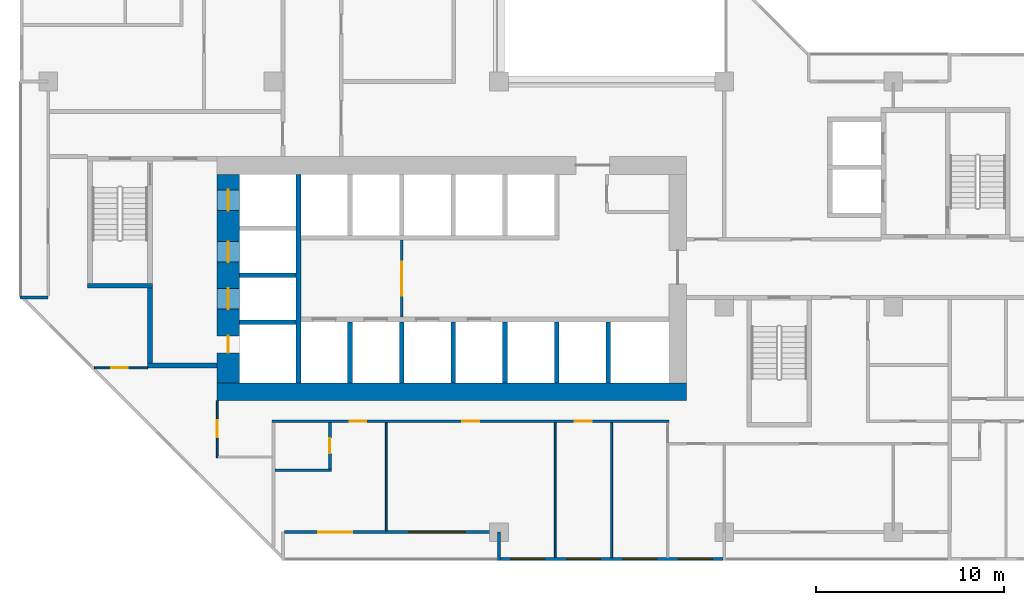
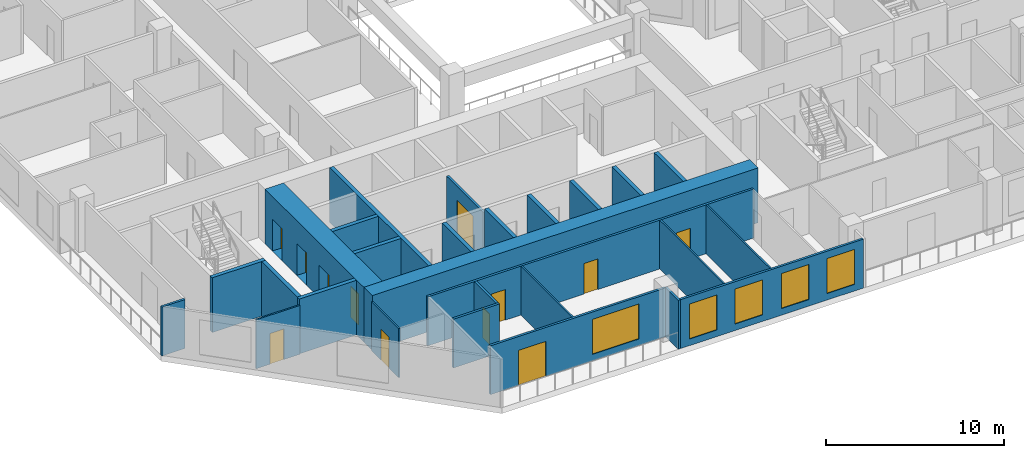
# One storey, part 4 of 15: 27 walls, 12 doors, 5 windows, 17 openings.
"""IFC4 building model written with IfcOpenShell, lengths in metres."""

from ifc_helpers import new_model, si_unit, direction, frame, frame_2d, origin, place, context, subcontext, project, spatial, rectangle, extrude, material, layer, layer_set, type_object, element, fill, save


model = new_model("IFC4")

# Units and contexts
model_context = context("Model", 3, precision=1e-05, world=origin(), true_north=direction((0.0, 1.0)))
body_context = subcontext(model_context, "Body", "Model", "MODEL_VIEW")
ifc_project = project(units=[si_unit("LENGTHUNIT", "METRE"), si_unit("AREAUNIT", "SQUARE_METRE"), si_unit("VOLUMEUNIT", "CUBIC_METRE"), si_unit("PLANEANGLEUNIT", "RADIAN"), si_unit("MASSUNIT", "GRAM", prefix="KILO")], contexts=[model_context])

# Site, building, storey
site_placement = place(None, origin())
site = spatial("IfcSite", under=ifc_project, at=site_placement, CompositionType="ELEMENT")
building_placement = place(site_placement, origin())
building = spatial("IfcBuilding", under=site, at=building_placement, Name="Chenar Terraces", CompositionType="ELEMENT")
storey_placement = place(building_placement, frame((0.0, 0.0, 133.14990234375)))
storey = spatial("IfcBuildingStorey", under=building, at=storey_placement, Name="L31", CompositionType="ELEMENT", Elevation=133.14990234375)

# Wall, opening, door
ifc_material_1 = material(Name="Gypsum board on steel studs", Category="steel")
ifc_layer_1 = layer(ifc_material_1, 0.14990234375)
ifc_layer_set_1 = layer_set([ifc_layer_1], Name="Gypsum board on steel studs")
wall_type_1 = type_object("IfcWallType", Name="Core partition 150 gypsum board", PredefinedType="PARTITIONING", material=ifc_layer_set_1)
wall_1_placement = place(storey_placement, frame((18.824951171875, 11.449951171875, 0.0), z_axis=(0.0, 0.0, 1.0), x_axis=(0.0, 1.0, 0.0)))
wall_1 = element("IfcWall", 1, at=wall_1_placement, inside=storey, type_object=wall_type_1, Name="Core partition CP1 lift lobby smoke stop", PredefinedType="PARTITIONING", context=body_context, shape_type="SweptSolid", body=[
    extrude(rectangle(XDim=4.10009765625, YDim=0.14990234375, at=frame_2d((2.050048828125, 0.0))), origin(), (0.0, 0.0, 1.0), 3.35009765625),
])
opening_1_placement = place(wall_1_placement, frame((1.14990234375, 0.0, 0.0)))
opening_1 = element("IfcOpeningElement", 2, at=opening_1_placement, cuts=wall_1, Name="Opening DL31-C12", PredefinedType="OPENING", context=body_context, shape_type="SweptSolid", body=[
    extrude(rectangle(XDim=1.800048828125, YDim=2.39990234375, at=frame_2d((0.89990234375, 1.199951171875))), frame((0.0, 0.0849609375, 0.0), z_axis=(0.0, -1.0, 0.0), x_axis=(1.0, 0.0, 0.0)), (0.0, 0.0, 1.0), 0.169921875),
])
ifc_material_2 = material(Name="Steel-framed fire-resisting door leaf", Category="steel")
door_type_1 = type_object("IfcDoorType", Name="Core entrance double fire door FD60 1800 x 2400", OperationType="DOUBLE_DOOR_SINGLE_SWING", PredefinedType="DOOR", material=ifc_material_2)
door_1_placement = place(opening_1_placement, origin())
door_1 = element("IfcDoor", 3, at=door_1_placement, inside=storey, type_object=door_type_1, Name="Core door DL31-C12", OperationType="DOUBLE_DOOR_SINGLE_SWING", OverallHeight=2.39990234375, OverallWidth=1.800048828125, PredefinedType="DOOR", context=body_context, shape_type="SweptSolid", body=[
    extrude(rectangle(XDim=1.800048828125, YDim=2.39990234375, at=frame_2d((0.89990234375, 1.199951171875))), frame((0.0, 0.02490234375, 0.0), z_axis=(0.0, -1.0, 0.0), x_axis=(1.0, 0.0, 0.0)), (0.0, 0.0, 1.0), 0.050048828125),
])
fill(opening_1, door_1)

# Wall, openings, doors
ifc_material_3 = material(Name="Concrete C70/85", Category="concrete")
ifc_layer_2 = layer(ifc_material_3, 1.199951171875)
ifc_layer_set_2 = layer_set([ifc_layer_2], Name="Concrete C70/85")
wall_type_2 = type_object("IfcWallType", Name="Core wall 1200 Concrete C70/85", PredefinedType="SHEAR", material=ifc_layer_set_2)
wall_2_placement = place(storey_placement, frame((9.60009765625, 7.949951171875, 0.0), z_axis=(0.0, 0.0, 1.0), x_axis=(0.0, 1.0, 0.0)))
wall_2 = element("IfcWall", 4, at=wall_2_placement, inside=storey, type_object=wall_type_2, Name="Core wall W L31", PredefinedType="SHEAR", context=body_context, shape_type="SweptSolid", body=[
    extrude(rectangle(XDim=11.10009765625, YDim=1.199951171875, at=frame_2d((5.550048828125, 0.0))), origin(), (0.0, 0.0, 1.0), 3.75),
])
opening_2_placement = place(wall_2_placement, frame((3.925048828125, 0.0, 0.0)))
opening_2 = element("IfcOpeningElement", 5, at=opening_2_placement, cuts=wall_2, Name="Opening DL31-LD5", PredefinedType="OPENING", context=body_context, shape_type="SweptSolid", body=[
    extrude(rectangle(XDim=1.10009765625, YDim=2.199951171875, at=frame_2d((0.550048828125, 1.10009765625))), frame((0.0, 0.60986328125, 0.0), z_axis=(0.0, -1.0, 0.0), x_axis=(1.0, 0.0, 0.0)), (0.0, 0.0, 1.0), 1.219970703125),
])
opening_3_placement = place(wall_2_placement, frame((6.425048828125, 0.0, 0.0)))
opening_3 = element("IfcOpeningElement", 6, at=opening_3_placement, cuts=wall_2, Name="Opening DL31-LD6", PredefinedType="OPENING", context=body_context, shape_type="SweptSolid", body=[
    extrude(rectangle(XDim=1.10009765625, YDim=2.199951171875, at=frame_2d((0.550048828125, 1.10009765625))), frame((0.0, 0.60986328125, 0.0), z_axis=(0.0, -1.0, 0.0), x_axis=(1.0, 0.0, 0.0)), (0.0, 0.0, 1.0), 1.219970703125),
])
opening_4_placement = place(wall_2_placement, frame((9.175048828125, 0.0, 0.0)))
opening_4 = element("IfcOpeningElement", 7, at=opening_4_placement, cuts=wall_2, Name="Opening DL31-LD7", PredefinedType="OPENING", context=body_context, shape_type="SweptSolid", body=[
    extrude(rectangle(XDim=1.10009765625, YDim=2.199951171875, at=frame_2d((0.550048828125, 1.10009765625))), frame((0.0, 0.60986328125, 0.0), z_axis=(0.0, -1.0, 0.0), x_axis=(1.0, 0.0, 0.0)), (0.0, 0.0, 1.0), 1.219970703125),
])
opening_5_placement = place(wall_2_placement, frame((1.60009765625, 0.0, 0.0)))
opening_5 = element("IfcOpeningElement", 8, at=opening_5_placement, cuts=wall_2, Name="Opening DL31-C4", PredefinedType="OPENING", context=body_context, shape_type="SweptSolid", body=[
    extrude(rectangle(XDim=0.89990234375, YDim=2.10009765625, at=frame_2d((0.449951171875, 1.050048828125))), frame((0.0, 0.60986328125, 0.0), z_axis=(0.0, -1.0, 0.0), x_axis=(1.0, 0.0, 0.0)), (0.0, 0.0, 1.0), 1.219970703125),
])
ifc_material_4 = material(Name="Stainless steel", Category="steel")
door_type_2 = type_object("IfcDoorType", Name="Lift landing door 1100 x 2200 sliding", OperationType="DOUBLE_DOOR_SLIDING", PredefinedType="DOOR", material=ifc_material_4)
door_2_placement = place(opening_2_placement, origin())
door_2 = element("IfcDoor", 9, at=door_2_placement, inside=storey, type_object=door_type_2, Name="Landing door S1", OperationType="DOUBLE_DOOR_SLIDING", OverallHeight=2.199951171875, OverallWidth=1.10009765625, PredefinedType="DOOR", context=body_context, shape_type="SweptSolid", body=[
    extrude(rectangle(XDim=1.10009765625, YDim=2.199951171875, at=frame_2d((0.550048828125, 1.10009765625))), frame((0.0, 0.02490234375, 0.0), z_axis=(0.0, -1.0, 0.0), x_axis=(1.0, 0.0, 0.0)), (0.0, 0.0, 1.0), 0.050048828125),
])
fill(opening_2, door_2)
door_3_placement = place(opening_3_placement, origin())
door_3 = element("IfcDoor", 10, at=door_3_placement, inside=storey, type_object=door_type_2, Name="Landing door F1", OperationType="DOUBLE_DOOR_SLIDING", OverallHeight=2.199951171875, OverallWidth=1.10009765625, PredefinedType="DOOR", context=body_context, shape_type="SweptSolid", body=[
    extrude(rectangle(XDim=1.10009765625, YDim=2.199951171875, at=frame_2d((0.550048828125, 1.10009765625))), frame((0.0, 0.02490234375, 0.0), z_axis=(0.0, -1.0, 0.0), x_axis=(1.0, 0.0, 0.0)), (0.0, 0.0, 1.0), 0.050048828125),
])
fill(opening_3, door_3)
door_4_placement = place(opening_4_placement, origin())
door_4 = element("IfcDoor", 11, at=door_4_placement, inside=storey, type_object=door_type_2, Name="Landing door F2", OperationType="DOUBLE_DOOR_SLIDING", OverallHeight=2.199951171875, OverallWidth=1.10009765625, PredefinedType="DOOR", context=body_context, shape_type="SweptSolid", body=[
    extrude(rectangle(XDim=1.10009765625, YDim=2.199951171875, at=frame_2d((0.550048828125, 1.10009765625))), frame((0.0, 0.02490234375, 0.0), z_axis=(0.0, -1.0, 0.0), x_axis=(1.0, 0.0, 0.0)), (0.0, 0.0, 1.0), 0.050048828125),
])
fill(opening_4, door_4)
ifc_material_5 = material(Name="Steel-framed fire-resisting door leaf", Category="steel")
door_type_3 = type_object("IfcDoorType", Name="Riser fire door FD60 900 x 2100", OperationType="SINGLE_SWING_LEFT", PredefinedType="DOOR", material=ifc_material_5)
door_5_placement = place(opening_5_placement, frame((0.89990234375, 0.0, 0.0), z_axis=(0.0, 0.0, 1.0), x_axis=(-1.0, 0.0, 0.0)))
door_5 = element("IfcDoor", 12, at=door_5_placement, inside=storey, type_object=door_type_3, Name="Riser door DL31-C4", OperationType="SINGLE_SWING_LEFT", OverallHeight=2.10009765625, OverallWidth=0.89990234375, PredefinedType="DOOR", context=body_context, shape_type="SweptSolid", body=[
    extrude(rectangle(XDim=0.89990234375, YDim=2.10009765625, at=frame_2d((0.449951171875, 1.050048828125))), frame((0.0, 0.02490234375, 0.0), z_axis=(0.0, -1.0, 0.0), x_axis=(1.0, 0.0, 0.0)), (0.0, 0.0, 1.0), 0.050048828125),
])
fill(opening_5, door_5)

# Walls
ifc_material_6 = material(Name="Concrete C70/85", Category="concrete")
ifc_layer_3 = layer(ifc_material_6, 0.25)
ifc_layer_set_3 = layer_set([ifc_layer_3], Name="Concrete C70/85")
wall_type_3 = type_object("IfcWallType", Name="Core wall 250 Concrete C70/85", PredefinedType="SHEAR", material=ifc_layer_set_3)
wall_3_placement = place(storey_placement, frame((13.324951171875, 7.949951171875, 0.0), z_axis=(0.0, 0.0, 1.0), x_axis=(0.0, 1.0, 0.0)))
element("IfcWall", 13, at=wall_3_placement, inside=storey, type_object=wall_type_3, Name="Core wall WI L31", PredefinedType="SHEAR", context=body_context, shape_type="SweptSolid", body=[
    extrude(rectangle(XDim=11.10009765625, YDim=0.25, at=frame_2d((5.550048828125, 0.0))), origin(), (0.0, 0.0, 1.0), 3.75),
])
for number, where, z_axis, x_axis, name in (
    (14, (10.199951171875, 11.175048828125, 0.0), (0.0, 0.0, 1.0), (1.0, 0.0, 0.0), "Core wall HW0 L31"),
    (15, (10.199951171875, 13.675048828125, 0.0), (0.0, 0.0, 1.0), (1.0, 0.0, 0.0), "Core wall HW1 L31"),
):
    element("IfcWall", number, at=place(storey_placement, frame(where, z_axis=z_axis, x_axis=x_axis)), inside=storey, type_object=wall_type_3, Name=name, PredefinedType="SHEAR", context=body_context, shape_type="SweptSolid", body=[
        extrude(rectangle(XDim=3.0, YDim=0.25, at=frame_2d((1.5, 0.0))), origin(), (0.0, 0.0, 1.0), 3.75),
    ])
for number, where, z_axis, x_axis, name in (
    (16, (16.074951171875, 7.949951171875, 0.0), (0.0, 0.0, 1.0), (0.0, 1.0, 0.0), "Core wall SS0 L31"),
    (17, (18.824951171875, 7.949951171875, 0.0), (0.0, 0.0, 1.0), (0.0, 1.0, 0.0), "Core wall SS1 L31"),
    (18, (21.574951171875, 7.949951171875, 0.0), (0.0, 0.0, 1.0), (0.0, 1.0, 0.0), "Core wall SS2 L31"),
    (19, (24.324951171875, 7.949951171875, 0.0), (0.0, 0.0, 1.0), (0.0, 1.0, 0.0), "Core wall SS3 L31"),
    (20, (27.074951171875, 7.949951171875, 0.0), (0.0, 0.0, 1.0), (0.0, 1.0, 0.0), "Core wall SS4 L31"),
    (21, (29.824951171875, 7.949951171875, 0.0), (0.0, 0.0, 1.0), (0.0, 1.0, 0.0), "Core wall SS5 L31"),
):
    element("IfcWall", number, at=place(storey_placement, frame(where, z_axis=z_axis, x_axis=x_axis)), inside=storey, type_object=wall_type_3, Name=name, PredefinedType="SHEAR", context=body_context, shape_type="SweptSolid", body=[
        extrude(rectangle(XDim=3.25, YDim=0.25, at=frame_2d((1.625, 0.0))), origin(), (0.0, 0.0, 1.0), 3.75),
    ])
wall_4_placement = place(storey_placement, frame((2.10009765625, 13.125, 0.0), z_axis=(0.0, 0.0, 1.0), x_axis=(1.0, 0.0, 0.0)))
element("IfcWall", 22, at=wall_4_placement, inside=storey, type_object=wall_type_3, Name="Core wall ST1_S L31", PredefinedType="SHEAR", context=body_context, shape_type="SweptSolid", body=[
    extrude(rectangle(XDim=3.449951171875, YDim=0.25, at=frame_2d((1.72509765625, 0.0))), origin(), (0.0, 0.0, 1.0), 3.75),
])
wall_5_placement = place(storey_placement, frame((5.300048828125, 8.875, 0.0), z_axis=(0.0, 0.0, 1.0), x_axis=(1.0, 0.0, 0.0)))
element("IfcWall", 23, at=wall_5_placement, inside=storey, type_object=wall_type_3, Name="Core wall FFL_S L31", PredefinedType="SHEAR", context=body_context, shape_type="SweptSolid", body=[
    extrude(rectangle(XDim=3.699951171875, YDim=0.25, at=frame_2d((1.85009765625, 0.0))), origin(), (0.0, 0.0, 1.0), 3.75),
])
wall_6_placement = place(storey_placement, frame((5.425048828125, 9.0, 0.0), z_axis=(0.0, 0.0, 1.0), x_axis=(0.0, 1.0, 0.0)))
element("IfcWall", 24, at=wall_6_placement, inside=storey, type_object=wall_type_3, Name="Core wall FFL_W L31", PredefinedType="SHEAR", context=body_context, shape_type="SweptSolid", body=[
    extrude(rectangle(XDim=4.0, YDim=0.25, at=frame_2d((2.0, 0.0))), origin(), (0.0, 0.0, 1.0), 3.75),
])
ifc_material_7 = material(Name="Concrete C70/85", Category="concrete")
ifc_layer_4 = layer(ifc_material_7, 0.949951171875)
ifc_layer_set_4 = layer_set([ifc_layer_4], Name="Concrete C70/85")
wall_type_4 = type_object("IfcWallType", Name="Core wall 950 Concrete C70/85", PredefinedType="SHEAR", material=ifc_layer_set_4)
wall_7_placement = place(storey_placement, frame((9.0, 7.47509765625, 0.0), z_axis=(0.0, 0.0, 1.0), x_axis=(1.0, 0.0, 0.0)))
element("IfcWall", 25, at=wall_7_placement, inside=storey, type_object=wall_type_4, Name="Core wall S L31", PredefinedType="SHEAR", context=body_context, shape_type="SweptSolid", body=[
    extrude(rectangle(XDim=25.0, YDim=0.949951171875, at=frame_2d((12.5, 0.0))), origin(), (0.0, 0.0, 1.0), 3.75),
])

# Wall, openings, windows
ifc_material_8 = material(Name="Aluminium framed glazing", Category="aluminium")
ifc_layer_5 = layer(ifc_material_8, 0.14990234375)
ifc_layer_set_5 = layer_set([ifc_layer_5], Name="Aluminium framed glazing")
wall_type_5 = type_object("IfcWallType", Name="Glazed flush facade wall 150", PredefinedType="SOLIDWALL", material=ifc_layer_set_5)
wall_8_placement = place(storey_placement, frame((24.074951171875, -1.425048828125, 0.0), z_axis=(0.0, 0.0, 1.0), x_axis=(1.0, 0.0, 0.0)))
wall_8 = element("IfcWall", 26, at=wall_8_placement, inside=storey, type_object=wall_type_5, Name="Glazed flush facade wall", PredefinedType="SOLIDWALL", context=body_context, shape_type="SweptSolid", body=[
    extrude(rectangle(XDim=11.85009765625, YDim=0.14990234375, at=frame_2d((5.925048828125, 0.0))), origin(), (0.0, 0.0, 1.0), 3.35009765625),
])
opening_6_placement = place(wall_8_placement, frame((0.5625, 0.0, 0.449951171875)))
opening_6 = element("IfcOpeningElement", 27, at=opening_6_placement, cuts=wall_8, Name="Opening W180x240", PredefinedType="OPENING", context=body_context, shape_type="SweptSolid", body=[
    extrude(rectangle(XDim=1.800048828125, YDim=2.39990234375, at=frame_2d((0.89990234375, 1.199951171875))), frame((0.0, 0.0849609375, 0.0), z_axis=(0.0, -1.0, 0.0), x_axis=(1.0, 0.0, 0.0)), (0.0, 0.0, 1.0), 0.169921875),
])
opening_7_placement = place(wall_8_placement, frame((3.52490234375, 0.0, 0.449951171875)))
opening_7 = element("IfcOpeningElement", 28, at=opening_7_placement, cuts=wall_8, Name="Opening W180x240", PredefinedType="OPENING", context=body_context, shape_type="SweptSolid", body=[
    extrude(rectangle(XDim=1.800048828125, YDim=2.39990234375, at=frame_2d((0.89990234375, 1.199951171875))), frame((0.0, 0.0849609375, 0.0), z_axis=(0.0, -1.0, 0.0), x_axis=(1.0, 0.0, 0.0)), (0.0, 0.0, 1.0), 0.169921875),
])
opening_8_placement = place(wall_8_placement, frame((6.52490234375, 0.0, 0.449951171875)))
opening_8 = element("IfcOpeningElement", 29, at=opening_8_placement, cuts=wall_8, Name="Opening W180x240", PredefinedType="OPENING", context=body_context, shape_type="SweptSolid", body=[
    extrude(rectangle(XDim=1.800048828125, YDim=2.39990234375, at=frame_2d((0.89990234375, 1.199951171875))), frame((0.0, 0.0849609375, 0.0), z_axis=(0.0, -1.0, 0.0), x_axis=(1.0, 0.0, 0.0)), (0.0, 0.0, 1.0), 0.169921875),
])
opening_9_placement = place(wall_8_placement, frame((9.487548828125, 0.0, 0.449951171875)))
opening_9 = element("IfcOpeningElement", 30, at=opening_9_placement, cuts=wall_8, Name="Opening W180x240", PredefinedType="OPENING", context=body_context, shape_type="SweptSolid", body=[
    extrude(rectangle(XDim=1.800048828125, YDim=2.39990234375, at=frame_2d((0.89990234375, 1.199951171875))), frame((0.0, 0.0849609375, 0.0), z_axis=(0.0, -1.0, 0.0), x_axis=(1.0, 0.0, 0.0)), (0.0, 0.0, 1.0), 0.169921875),
])
ifc_material_9 = material(Name="Low emissivity double glazing, aluminium frame", Category="aluminium")
window_type_1 = type_object("IfcWindowType", Name="Fixed light 1800 x 2400", PartitioningType="SINGLE_PANEL", PredefinedType="WINDOW", material=ifc_material_9)
window_1_placement = place(opening_6_placement, origin())
window_1 = element("IfcWindow", 31, at=window_1_placement, inside=storey, type_object=window_type_1, Name="Window", OverallHeight=2.39990234375, OverallWidth=1.800048828125, PartitioningType="SINGLE_PANEL", PredefinedType="WINDOW", context=body_context, shape_type="SweptSolid", body=[
    extrude(rectangle(XDim=1.800048828125, YDim=2.39990234375, at=frame_2d((0.89990234375, 1.199951171875))), frame((0.0, 0.030029296875, 0.0), z_axis=(0.0, -1.0, 0.0), x_axis=(1.0, 0.0, 0.0)), (0.0, 0.0, 1.0), 0.06005859375),
])
fill(opening_6, window_1)
window_2_placement = place(opening_7_placement, origin())
window_2 = element("IfcWindow", 32, at=window_2_placement, inside=storey, type_object=window_type_1, Name="Window", OverallHeight=2.39990234375, OverallWidth=1.800048828125, PartitioningType="SINGLE_PANEL", PredefinedType="WINDOW", context=body_context, shape_type="SweptSolid", body=[
    extrude(rectangle(XDim=1.800048828125, YDim=2.39990234375, at=frame_2d((0.89990234375, 1.199951171875))), frame((0.0, 0.030029296875, 0.0), z_axis=(0.0, -1.0, 0.0), x_axis=(1.0, 0.0, 0.0)), (0.0, 0.0, 1.0), 0.06005859375),
])
fill(opening_7, window_2)
window_3_placement = place(opening_8_placement, origin())
window_3 = element("IfcWindow", 33, at=window_3_placement, inside=storey, type_object=window_type_1, Name="Window", OverallHeight=2.39990234375, OverallWidth=1.800048828125, PartitioningType="SINGLE_PANEL", PredefinedType="WINDOW", context=body_context, shape_type="SweptSolid", body=[
    extrude(rectangle(XDim=1.800048828125, YDim=2.39990234375, at=frame_2d((0.89990234375, 1.199951171875))), frame((0.0, 0.030029296875, 0.0), z_axis=(0.0, -1.0, 0.0), x_axis=(1.0, 0.0, 0.0)), (0.0, 0.0, 1.0), 0.06005859375),
])
fill(opening_8, window_3)
window_4_placement = place(opening_9_placement, origin())
window_4 = element("IfcWindow", 34, at=window_4_placement, inside=storey, type_object=window_type_1, Name="Window", OverallHeight=2.39990234375, OverallWidth=1.800048828125, PartitioningType="SINGLE_PANEL", PredefinedType="WINDOW", context=body_context, shape_type="SweptSolid", body=[
    extrude(rectangle(XDim=1.800048828125, YDim=2.39990234375, at=frame_2d((0.89990234375, 1.199951171875))), frame((0.0, 0.030029296875, 0.0), z_axis=(0.0, -1.0, 0.0), x_axis=(1.0, 0.0, 0.0)), (0.0, 0.0, 1.0), 0.06005859375),
])
fill(opening_9, window_4)

# Wall, openings, window, door
ifc_material_10 = material(Name="Aluminium framed glazing", Category="aluminium")
ifc_layer_6 = layer(ifc_material_10, 0.14990234375)
ifc_layer_set_6 = layer_set([ifc_layer_6], Name="Aluminium framed glazing")
wall_type_6 = type_object("IfcWallType", Name="Glazed loggia back wall 150", PredefinedType="SOLIDWALL", material=ifc_layer_set_6)
wall_9_placement = place(storey_placement, frame((12.574951171875, 0.0, 0.0), z_axis=(0.0, 0.0, 1.0), x_axis=(1.0, 0.0, 0.0)))
wall_9 = element("IfcWall", 35, at=wall_9_placement, inside=storey, type_object=wall_type_6, Name="Glazed loggia back wall", PredefinedType="SOLIDWALL", context=body_context, shape_type="SweptSolid", body=[
    extrude(rectangle(XDim=11.35009765625, YDim=0.14990234375, at=frame_2d((5.675048828125, 0.0))), origin(), (0.0, 0.0, 1.0), 3.35009765625),
])
opening_10_placement = place(wall_9_placement, frame((1.8125, 0.0, 0.0)))
opening_10 = element("IfcOpeningElement", 36, at=opening_10_placement, cuts=wall_9, Name="Opening DL31-G5", PredefinedType="OPENING", context=body_context, shape_type="SweptSolid", body=[
    extrude(rectangle(XDim=1.800048828125, YDim=2.39990234375, at=frame_2d((0.89990234375, 1.199951171875))), frame((0.0, 0.0849609375, 0.0), z_axis=(0.0, -1.0, 0.0), x_axis=(1.0, 0.0, 0.0)), (0.0, 0.0, 1.0), 0.169921875),
])
opening_11_placement = place(wall_9_placement, frame((6.625, 0.0, 0.449951171875)))
opening_11 = element("IfcOpeningElement", 37, at=opening_11_placement, cuts=wall_9, Name="Opening W300x240", PredefinedType="OPENING", context=body_context, shape_type="SweptSolid", body=[
    extrude(rectangle(XDim=3.0, YDim=2.39990234375, at=frame_2d((1.5, 1.199951171875))), frame((0.0, 0.0849609375, 0.0), z_axis=(0.0, -1.0, 0.0), x_axis=(1.0, 0.0, 0.0)), (0.0, 0.0, 1.0), 0.169921875),
])
ifc_material_11 = material(Name="Low emissivity double glazing, aluminium frame", Category="aluminium")
window_type_2 = type_object("IfcWindowType", Name="Fixed light 3000 x 2400", PartitioningType="SINGLE_PANEL", PredefinedType="WINDOW", material=ifc_material_11)
window_5_placement = place(opening_11_placement, origin())
window_5 = element("IfcWindow", 38, at=window_5_placement, inside=storey, type_object=window_type_2, Name="Window", OverallHeight=2.39990234375, OverallWidth=3.0, PartitioningType="SINGLE_PANEL", PredefinedType="WINDOW", context=body_context, shape_type="SweptSolid", body=[
    extrude(rectangle(XDim=3.0, YDim=2.39990234375, at=frame_2d((1.5, 1.199951171875))), frame((0.0, 0.030029296875, 0.0), z_axis=(0.0, -1.0, 0.0), x_axis=(1.0, 0.0, 0.0)), (0.0, 0.0, 1.0), 0.06005859375),
])
fill(opening_11, window_5)
ifc_material_12 = material(Name="Low emissivity double glazing, aluminium frame", Category="aluminium")
door_type_4 = type_object("IfcDoorType", Name="Loggia glazed double door 1800 x 2400", OperationType="DOUBLE_DOOR_SINGLE_SWING", PredefinedType="DOOR", material=ifc_material_12)
door_6_placement = place(opening_10_placement, frame((1.800048828125, 0.0, 0.0), z_axis=(0.0, 0.0, 1.0), x_axis=(-1.0, 0.0, 0.0)))
door_6 = element("IfcDoor", 39, at=door_6_placement, inside=storey, type_object=door_type_4, Name="Loggia glazed door", OperationType="DOUBLE_DOOR_SINGLE_SWING", OverallHeight=2.39990234375, OverallWidth=1.800048828125, PredefinedType="DOOR", context=body_context, shape_type="SweptSolid", body=[
    extrude(rectangle(XDim=1.800048828125, YDim=2.39990234375, at=frame_2d((0.89990234375, 1.199951171875))), frame((0.0, 0.02490234375, 0.0), z_axis=(0.0, -1.0, 0.0), x_axis=(1.0, 0.0, 0.0)), (0.0, 0.0, 1.0), 0.050048828125),
])
fill(opening_10, door_6)

# Wall, opening, door
ifc_material_13 = material(Name="Gypsum board on steel studs", Category="steel")
ifc_layer_7 = layer(ifc_material_13, 0.10009765625)
ifc_layer_set_7 = layer_set([ifc_layer_7], Name="Gypsum board on steel studs")
wall_type_7 = type_object("IfcWallType", Name="Gypsum partition 100", PredefinedType="PARTITIONING", material=ifc_layer_set_7)
wall_10_placement = place(storey_placement, frame((2.4609375, 8.75, 0.0), z_axis=(0.0, 0.0, 1.0), x_axis=(1.0, 0.0, 0.0)))
wall_10 = element("IfcWall", 40, at=wall_10_placement, inside=storey, type_object=wall_type_7, Name="Partition L31-010", PredefinedType="PARTITIONING", context=body_context, shape_type="SweptSolid", body=[
    extrude(rectangle(XDim=2.839111328125, YDim=0.10009765625, at=frame_2d((1.41943359375, 0.0))), origin(), (0.0, 0.0, 1.0), 3.35009765625),
])
opening_12_placement = place(wall_10_placement, frame((0.888916015625, 0.0, 0.0)))
opening_12 = element("IfcOpeningElement", 41, at=opening_12_placement, cuts=wall_10, Name="Opening DL31-61", PredefinedType="OPENING", context=body_context, shape_type="SweptSolid", body=[
    extrude(rectangle(XDim=0.89990234375, YDim=2.10009765625, at=frame_2d((0.449951171875, 1.050048828125))), frame((0.0, 0.06005859375, 0.0), z_axis=(0.0, -1.0, 0.0), x_axis=(1.0, 0.0, 0.0)), (0.0, 0.0, 1.0), 0.1201171875),
])
ifc_material_14 = material(Name="Veneered timber door leaf", Category="wood")
door_type_5 = type_object("IfcDoorType", Name="Door 900 x 2100", OperationType="SINGLE_SWING_LEFT", PredefinedType="DOOR", material=ifc_material_14)
door_7_placement = place(opening_12_placement, frame((0.89990234375, 0.0, 0.0), z_axis=(0.0, 0.0, 1.0), x_axis=(-1.0, 0.0, 0.0)))
door_7 = element("IfcDoor", 42, at=door_7_placement, inside=storey, type_object=door_type_5, Name="Door DL31-61", OperationType="SINGLE_SWING_RIGHT", OverallHeight=2.10009765625, OverallWidth=0.89990234375, PredefinedType="DOOR", context=body_context, shape_type="SweptSolid", body=[
    extrude(rectangle(XDim=0.89990234375, YDim=2.10009765625, at=frame_2d((0.449951171875, 1.050048828125))), frame((0.0, 0.02490234375, 0.0), z_axis=(0.0, -1.0, 0.0), x_axis=(1.0, 0.0, 0.0)), (0.0, 0.0, 1.0), 0.050048828125),
])
fill(opening_12, door_7)

wall_11_placement = place(storey_placement, frame((9.0, 3.949951171875, 0.0), z_axis=(0.0, 0.0, 1.0), x_axis=(0.0, 1.0, 0.0)))
wall_11 = element("IfcWall", 43, at=wall_11_placement, inside=storey, type_object=wall_type_7, Name="Partition L31-030", PredefinedType="PARTITIONING", context=body_context, shape_type="SweptSolid", body=[
    extrude(rectangle(XDim=3.050048828125, YDim=0.10009765625, at=frame_2d((1.52490234375, 0.0))), origin(), (0.0, 0.0, 1.0), 3.35009765625),
])
opening_13_placement = place(wall_11_placement, frame((1.10009765625, 0.0, 0.0)))
opening_13 = element("IfcOpeningElement", 44, at=opening_13_placement, cuts=wall_11, Name="Opening DL31-60", PredefinedType="OPENING", context=body_context, shape_type="SweptSolid", body=[
    extrude(rectangle(XDim=0.89990234375, YDim=2.10009765625, at=frame_2d((0.449951171875, 1.050048828125))), frame((0.0, 0.06005859375, 0.0), z_axis=(0.0, -1.0, 0.0), x_axis=(1.0, 0.0, 0.0)), (0.0, 0.0, 1.0), 0.1201171875),
])
door_8_placement = place(opening_13_placement, origin())
door_8 = element("IfcDoor", 45, at=door_8_placement, inside=storey, type_object=door_type_5, Name="Door DL31-60", OperationType="SINGLE_SWING_LEFT", OverallHeight=2.10009765625, OverallWidth=0.89990234375, PredefinedType="DOOR", context=body_context, shape_type="SweptSolid", body=[
    extrude(rectangle(XDim=0.89990234375, YDim=2.10009765625, at=frame_2d((0.449951171875, 1.050048828125))), frame((0.0, 0.02490234375, 0.0), z_axis=(0.0, -1.0, 0.0), x_axis=(1.0, 0.0, 0.0)), (0.0, 0.0, 1.0), 0.050048828125),
])
fill(opening_13, door_8)

# Walls
wall_12_placement = place(storey_placement, frame((18.0, 0.073974609375, 0.0), z_axis=(0.0, 0.0, 1.0), x_axis=(0.0, 1.0, 0.0)))
element("IfcWall", 46, at=wall_12_placement, inside=storey, type_object=wall_type_7, Name="Partition L31-048", PredefinedType="PARTITIONING", context=body_context, shape_type="SweptSolid", body=[
    extrude(rectangle(XDim=5.7509765625, YDim=0.10009765625, at=frame_2d((2.87548828125, 0.0))), origin(), (0.0, 0.0, 1.0), 3.35009765625),
])
wall_13_placement = place(storey_placement, frame((27.0, -1.35009765625, 0.0), z_axis=(0.0, 0.0, 1.0), x_axis=(0.0, 1.0, 0.0)))
element("IfcWall", 47, at=wall_13_placement, inside=storey, type_object=wall_type_7, Name="Partition L31-058", PredefinedType="PARTITIONING", context=body_context, shape_type="SweptSolid", body=[
    extrude(rectangle(XDim=7.175048828125, YDim=0.10009765625, at=frame_2d((3.58740234375, 0.0))), origin(), (0.0, 0.0, 1.0), 3.35009765625),
])
wall_14_placement = place(storey_placement, frame((30.0, -1.35107421875, 0.0), z_axis=(0.0, 0.0, 1.0), x_axis=(0.0, 1.0, 0.0)))
element("IfcWall", 48, at=wall_14_placement, inside=storey, type_object=wall_type_7, Name="Partition L31-059", PredefinedType="PARTITIONING", context=body_context, shape_type="SweptSolid", body=[
    extrude(rectangle(XDim=7.176025390625, YDim=0.10009765625, at=frame_2d((3.587890625, 0.0))), origin(), (0.0, 0.0, 1.0), 3.35009765625),
])
ifc_material_15 = material(Name="Terracotta cladding on insulated backing", Category="masonry")
ifc_layer_8 = layer(ifc_material_15, 0.14990234375)
ifc_layer_set_8 = layer_set([ifc_layer_8], Name="Terracotta cladding on insulated backing")
wall_type_8 = type_object("IfcWallType", Name="Loggia return wall 150", PredefinedType="SOLIDWALL", material=ifc_layer_set_8)
for number, where, z_axis, x_axis, name in (
    (49, (-1.5, 12.5, 0.0), (0.0, 0.0, 1.0), (1.0, 0.0, 0.0), "Loggia return wall"),
    (50, (24.0, -1.5, 0.0), (0.0, 0.0, 1.0), (0.0, 1.0, 0.0), "Loggia return wall"),
):
    element("IfcWall", number, at=place(storey_placement, frame(where, z_axis=z_axis, x_axis=x_axis)), inside=storey, type_object=wall_type_8, Name=name, PredefinedType="SOLIDWALL", context=body_context, shape_type="SweptSolid", body=[
        extrude(rectangle(XDim=1.5, YDim=0.14990234375, at=frame_2d((0.75, 0.0))), origin(), (0.0, 0.0, 1.0), 3.35009765625),
    ])

# Wall, openings, doors
ifc_material_16 = material(Name="Moisture-resistant gypsum board on steel studs", Category="steel")
ifc_layer_9 = layer(ifc_material_16, 0.14990234375)
ifc_layer_set_9 = layer_set([ifc_layer_9], Name="Moisture-resistant gypsum board on steel studs")
wall_type_9 = type_object("IfcWallType", Name="Wet-room partition 150", PredefinedType="PARTITIONING", material=ifc_layer_set_9)
wall_15_placement = place(storey_placement, frame((11.925048828125, 5.89990234375, 0.0), z_axis=(0.0, 0.0, 1.0), x_axis=(1.0, 0.0, 0.0)))
wall_15 = element("IfcWall", 51, at=wall_15_placement, inside=storey, type_object=wall_type_9, Name="Partition L31-032", PredefinedType="PARTITIONING", context=body_context, shape_type="SweptSolid", body=[
    extrude(rectangle(XDim=21.125, YDim=0.14990234375, at=frame_2d((10.5625, 0.0))), origin(), (0.0, 0.0, 1.0), 3.35009765625),
])
opening_14_placement = place(wall_15_placement, frame((16.125, 0.0, 0.0)))
opening_14 = element("IfcOpeningElement", 52, at=opening_14_placement, cuts=wall_15, Name="Opening DL31-56", PredefinedType="OPENING", context=body_context, shape_type="SweptSolid", body=[
    extrude(rectangle(XDim=0.89990234375, YDim=2.10009765625, at=frame_2d((0.449951171875, 1.050048828125))), frame((0.0, 0.0849609375, 0.0), z_axis=(0.0, -1.0, 0.0), x_axis=(1.0, 0.0, 0.0)), (0.0, 0.0, 1.0), 0.169921875),
])
opening_15_placement = place(wall_15_placement, frame((4.125, 0.0, 0.0)))
opening_15 = element("IfcOpeningElement", 53, at=opening_15_placement, cuts=wall_15, Name="Opening DL31-62", PredefinedType="OPENING", context=body_context, shape_type="SweptSolid", body=[
    extrude(rectangle(XDim=0.89990234375, YDim=2.10009765625, at=frame_2d((0.449951171875, 1.050048828125))), frame((0.0, 0.0849609375, 0.0), z_axis=(0.0, -1.0, 0.0), x_axis=(1.0, 0.0, 0.0)), (0.0, 0.0, 1.0), 0.169921875),
])
opening_16_placement = place(wall_15_placement, frame((10.125, 0.0, 0.0)))
opening_16 = element("IfcOpeningElement", 54, at=opening_16_placement, cuts=wall_15, Name="Opening DL31-66", PredefinedType="OPENING", context=body_context, shape_type="SweptSolid", body=[
    extrude(rectangle(XDim=0.89990234375, YDim=2.10009765625, at=frame_2d((0.449951171875, 1.050048828125))), frame((0.0, 0.0849609375, 0.0), z_axis=(0.0, -1.0, 0.0), x_axis=(1.0, 0.0, 0.0)), (0.0, 0.0, 1.0), 0.169921875),
])
door_9_placement = place(opening_14_placement, frame((0.89990234375, 0.0, 0.0), z_axis=(0.0, 0.0, 1.0), x_axis=(-1.0, 0.0, 0.0)))
door_9 = element("IfcDoor", 55, at=door_9_placement, inside=storey, type_object=door_type_5, Name="Door DL31-56", OperationType="SINGLE_SWING_RIGHT", OverallHeight=2.10009765625, OverallWidth=0.89990234375, PredefinedType="DOOR", context=body_context, shape_type="SweptSolid", body=[
    extrude(rectangle(XDim=0.89990234375, YDim=2.10009765625, at=frame_2d((0.449951171875, 1.050048828125))), frame((0.0, 0.02490234375, 0.0), z_axis=(0.0, -1.0, 0.0), x_axis=(1.0, 0.0, 0.0)), (0.0, 0.0, 1.0), 0.050048828125),
])
fill(opening_14, door_9)
door_10_placement = place(opening_15_placement, frame((0.89990234375, 0.0, 0.0), z_axis=(0.0, 0.0, 1.0), x_axis=(-1.0, 0.0, 0.0)))
door_10 = element("IfcDoor", 56, at=door_10_placement, inside=storey, type_object=door_type_5, Name="Door DL31-62", OperationType="SINGLE_SWING_RIGHT", OverallHeight=2.10009765625, OverallWidth=0.89990234375, PredefinedType="DOOR", context=body_context, shape_type="SweptSolid", body=[
    extrude(rectangle(XDim=0.89990234375, YDim=2.10009765625, at=frame_2d((0.449951171875, 1.050048828125))), frame((0.0, 0.02490234375, 0.0), z_axis=(0.0, -1.0, 0.0), x_axis=(1.0, 0.0, 0.0)), (0.0, 0.0, 1.0), 0.050048828125),
])
fill(opening_15, door_10)
door_11_placement = place(opening_16_placement, frame((0.89990234375, 0.0, 0.0), z_axis=(0.0, 0.0, 1.0), x_axis=(-1.0, 0.0, 0.0)))
door_11 = element("IfcDoor", 57, at=door_11_placement, inside=storey, type_object=door_type_5, Name="Door DL31-66", OperationType="SINGLE_SWING_RIGHT", OverallHeight=2.10009765625, OverallWidth=0.89990234375, PredefinedType="DOOR", context=body_context, shape_type="SweptSolid", body=[
    extrude(rectangle(XDim=0.89990234375, YDim=2.10009765625, at=frame_2d((0.449951171875, 1.050048828125))), frame((0.0, 0.02490234375, 0.0), z_axis=(0.0, -1.0, 0.0), x_axis=(1.0, 0.0, 0.0)), (0.0, 0.0, 1.0), 0.050048828125),
])
fill(opening_16, door_11)

# Wall
wall_16_placement = place(storey_placement, frame((12.074951171875, 3.300048828125, 0.0), z_axis=(0.0, 0.0, 1.0), x_axis=(1.0, 0.0, 0.0)))
element("IfcWall", 58, at=wall_16_placement, inside=storey, type_object=wall_type_9, Name="Partition L31-034", PredefinedType="PARTITIONING", context=body_context, shape_type="SweptSolid", body=[
    extrude(rectangle(XDim=3.0, YDim=0.14990234375, at=frame_2d((1.5, 0.0))), origin(), (0.0, 0.0, 1.0), 3.35009765625),
])

# Wall, opening, door
wall_17_placement = place(storey_placement, frame((15.0, 3.375, 0.0), z_axis=(0.0, 0.0, 1.0), x_axis=(0.0, 1.0, 0.0)))
wall_17 = element("IfcWall", 59, at=wall_17_placement, inside=storey, type_object=wall_type_9, Name="Partition L31-036", PredefinedType="PARTITIONING", context=body_context, shape_type="SweptSolid", body=[
    extrude(rectangle(XDim=2.449951171875, YDim=0.14990234375, at=frame_2d((1.22509765625, 0.0))), origin(), (0.0, 0.0, 1.0), 3.35009765625),
])
opening_17_placement = place(wall_17_placement, frame((0.824951171875, 0.0, 0.0)))
opening_17 = element("IfcOpeningElement", 60, at=opening_17_placement, cuts=wall_17, Name="Opening DL31-63", PredefinedType="OPENING", context=body_context, shape_type="SweptSolid", body=[
    extrude(rectangle(XDim=0.800048828125, YDim=2.10009765625, at=frame_2d((0.39990234375, 1.050048828125))), frame((0.0, 0.0849609375, 0.0), z_axis=(0.0, -1.0, 0.0), x_axis=(1.0, 0.0, 0.0)), (0.0, 0.0, 1.0), 0.169921875),
])
ifc_material_17 = material(Name="Veneered timber door leaf", Category="wood")
door_type_6 = type_object("IfcDoorType", Name="Door 800 x 2100", OperationType="SINGLE_SWING_LEFT", PredefinedType="DOOR", material=ifc_material_17)
door_12_placement = place(opening_17_placement, origin())
door_12 = element("IfcDoor", 61, at=door_12_placement, inside=storey, type_object=door_type_6, Name="Door DL31-63", OperationType="SINGLE_SWING_RIGHT", OverallHeight=2.10009765625, OverallWidth=0.800048828125, PredefinedType="DOOR", context=body_context, shape_type="SweptSolid", body=[
    extrude(rectangle(XDim=0.800048828125, YDim=2.10009765625, at=frame_2d((0.39990234375, 1.050048828125))), frame((0.0, 0.02490234375, 0.0), z_axis=(0.0, -1.0, 0.0), x_axis=(1.0, 0.0, 0.0)), (0.0, 0.0, 1.0), 0.050048828125),
])
fill(opening_17, door_12)

save(model, "model.ifc")
